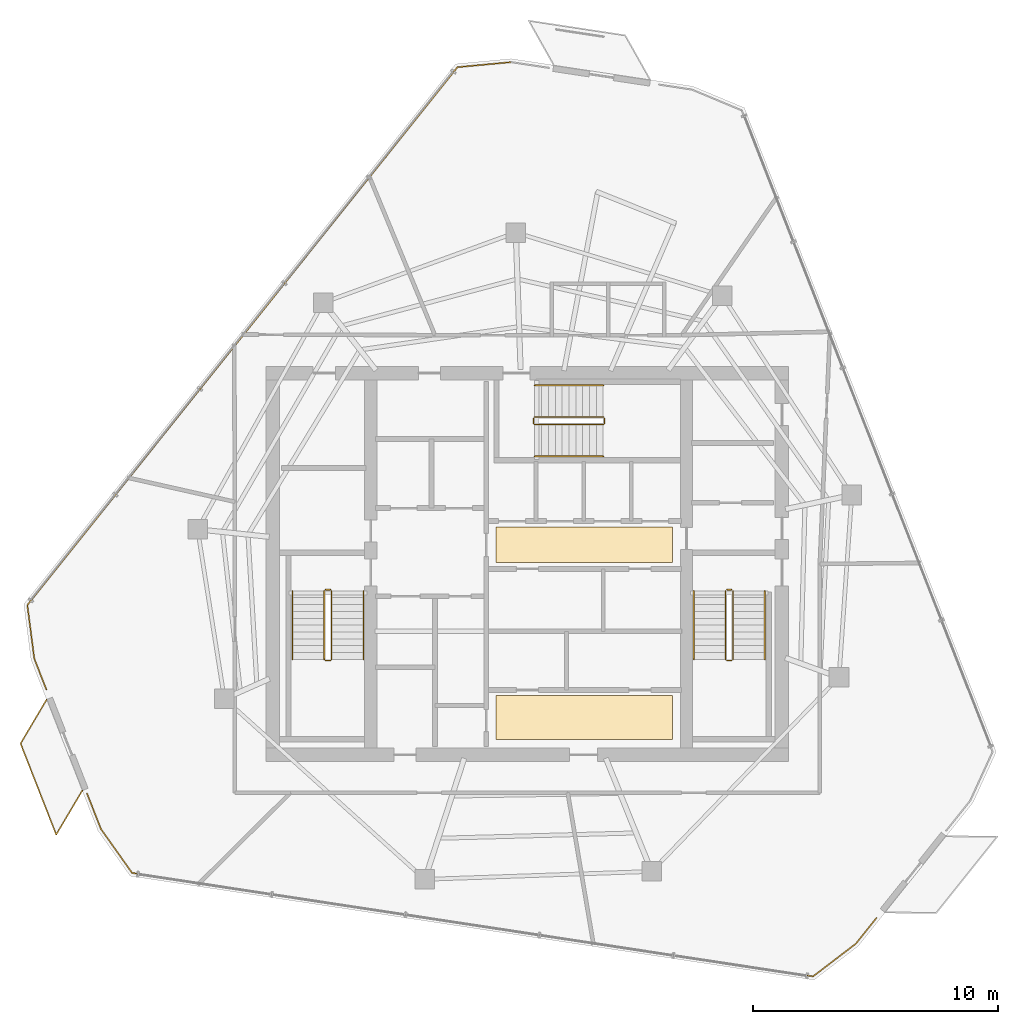
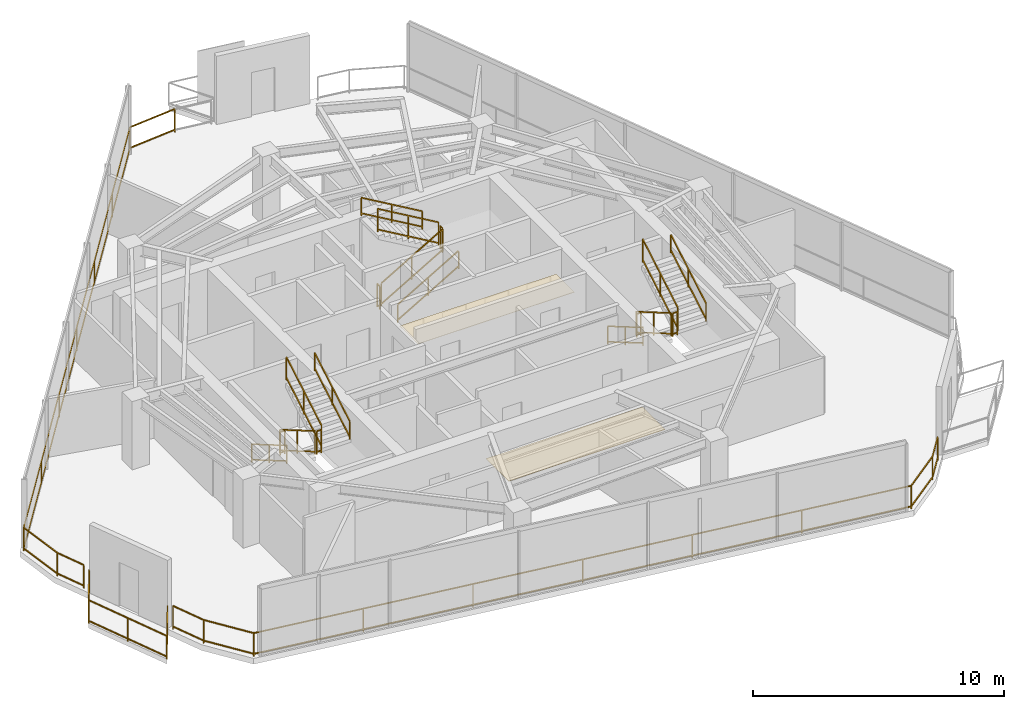
# One storey, part 18 of 19: 21 railings, 2 coverings.
"""IFC4 building model written with IfcOpenShell, lengths in metres."""

from ifc_helpers import new_model, si_unit, direction, frame, origin, origin_2d, place, context, subcontext, project, spatial, rectangle, extrude, material, layer, layer_set, type_object, element, save


model = new_model("IFC4")

# Units and contexts
model_context = context("Model", 3, precision=1e-05, world=origin(), true_north=direction((0.0, 1.0)))
body_context = subcontext(model_context, "Body", "Model", "MODEL_VIEW")
ifc_project = project(units=[si_unit("LENGTHUNIT", "METRE"), si_unit("AREAUNIT", "SQUARE_METRE"), si_unit("VOLUMEUNIT", "CUBIC_METRE"), si_unit("PLANEANGLEUNIT", "RADIAN"), si_unit("MASSUNIT", "GRAM", prefix="KILO")], contexts=[model_context])

# Site, building, storey
site_placement = place(None, origin())
site = spatial("IfcSite", under=ifc_project, at=site_placement, CompositionType="ELEMENT")
building_placement = place(site_placement, origin())
building = spatial("IfcBuilding", under=site, at=building_placement, Name="Qarnah Convention Tower", CompositionType="ELEMENT")
storey_placement = place(building_placement, frame((0.0, 0.0, 260.699951171875)))
storey = spatial("IfcBuildingStorey", under=building, at=storey_placement, Name="L70", CompositionType="ELEMENT", Elevation=260.699951171875)

# Coverings
ifc_material_1 = material(Name="Mineral fibre acoustic ceiling")
ifc_layer_1 = layer(ifc_material_1, 0.02001953125)
ifc_layer_set_1 = layer_set([ifc_layer_1], Name="Mineral fibre acoustic ceiling")
covering_type_1 = type_object("IfcCoveringType", Name="COV-CEIL-20", PredefinedType="CEILING", material=ifc_layer_set_1)
covering_1_placement = place(storey_placement, frame((39.52001953125, 27.179931640625, 2.2900390625), z_axis=(0.0, 0.0, 1.0), x_axis=(1.0, 0.0, 0.0)))
element("IfcCovering", 1, at=covering_1_placement, inside=storey, type_object=covering_type_1, Name="L70 lift lobby acoustic ceiling", PredefinedType="CEILING", context=body_context, shape_type="SweptSolid", body=[
    extrude(rectangle(XDim=7.199951171875, YDim=1.449951171875, at=origin_2d()), origin(), (0.0, 0.0, 1.0), 0.02001953125),
])
ifc_material_2 = material(Name="Porcelain stone floor tile", Category="masonry")
ifc_layer_2 = layer(ifc_material_2, 0.02001953125)
ifc_layer_set_2 = layer_set([ifc_layer_2], Name="Porcelain stone floor tile")
covering_type_2 = type_object("IfcCoveringType", Name="COV-FLOOR-20", PredefinedType="FLOORING", material=ifc_layer_set_2)
covering_2_placement = place(storey_placement, frame((39.52001953125, 20.1201171875, 0.0), z_axis=(0.0, 0.0, 1.0), x_axis=(1.0, 0.0, 0.0)))
element("IfcCovering", 2, at=covering_2_placement, inside=storey, type_object=covering_type_2, Name="L70 lift lobby porcelain stone flooring", PredefinedType="FLOORING", context=body_context, shape_type="SweptSolid", body=[
    extrude(rectangle(XDim=7.199951171875, YDim=1.800048828125, at=origin_2d()), origin(), (0.0, 0.0, 1.0), 0.02001953125),
])

# Railings
ifc_material_3 = material(Name="Black anodised aluminium", Category="aluminium")
railing_type_1 = type_object("IfcRailingType", Name="RL-EXT-GUARD-1150", PredefinedType="GUARDRAIL", material=ifc_material_3)
railing_1_placement = place(storey_placement, frame((51.468017578125, 11.94091796875, 0.0)))
element("IfcRailing", 3, at=railing_1_placement, inside=storey, type_object=railing_type_1, Name="L70 slab-edge perimeter safety guard 03", PredefinedType="GUARDRAIL", context=body_context, shape_type="SweptSolid", body=[
    extrude(rectangle(XDim=0.048095703125, YDim=0.048095703125, at=origin_2d()), frame((0.0, 0.0, 1.1259765625), z_axis=(-0.624805118993, -0.780780739568, 0.0), x_axis=(0.780780739568, -0.624805118993, 0.0)), (0.0, 0.0, 1.0), 1.352294921875),
    extrude(rectangle(XDim=0.048095703125, YDim=0.048095703125, at=origin_2d()), frame((0.0, 0.0, 0.1201171875), z_axis=(-0.624805118993, -0.780780739568, 0.0), x_axis=(0.780780739568, -0.624805118993, 0.0)), (0.0, 0.0, 1.0), 1.352294921875),
    extrude(rectangle(XDim=0.048095703125, YDim=0.048095703125, at=origin_2d()), frame((-0.844970703125, -1.055908203125, 1.1259765625), z_axis=(-0.794647238446, -0.607071467317, 0.0), x_axis=(0.607071467317, -0.794647238446, 0.0)), (0.0, 0.0, 1.0), 2.2021484375),
    extrude(rectangle(XDim=0.048095703125, YDim=0.048095703125, at=origin_2d()), frame((-0.844970703125, -1.055908203125, 0.1201171875), z_axis=(-0.794647238446, -0.607071467317, 0.0), x_axis=(0.607071467317, -0.794647238446, 0.0)), (0.0, 0.0, 1.0), 2.2021484375),
    extrude(rectangle(XDim=0.048095703125, YDim=0.048095703125, at=origin_2d()), frame((-2.594970703125, -2.392822265625, 1.1259765625), z_axis=(-0.988652889334, 0.150218056212, 0.0), x_axis=(-0.150218056212, -0.988652889334, 0.0)), (0.0, 0.0, 1.0), 28.144287109375),
    extrude(rectangle(XDim=0.048095703125, YDim=0.048095703125, at=origin_2d()), frame((-2.594970703125, -2.392822265625, 0.1201171875), z_axis=(-0.988652889334, 0.150218056212, 0.0), x_axis=(-0.150218056212, -0.988652889334, 0.0)), (0.0, 0.0, 1.0), 28.144287109375),
    extrude(rectangle(XDim=0.048095703125, YDim=0.048095703125, at=origin_2d()), frame((-30.419921875, 1.8349609375, 1.1259765625), z_axis=(-0.578383189454, 0.815765215094, 0.0), x_axis=(-0.815765215094, -0.578383189454, 0.0)), (0.0, 0.0, 1.0), 2.202880859375),
    extrude(rectangle(XDim=0.048095703125, YDim=0.048095703125, at=origin_2d()), frame((-30.419921875, 1.8349609375, 0.1201171875), z_axis=(-0.578383189454, 0.815765215094, 0.0), x_axis=(-0.815765215094, -0.578383189454, 0.0)), (0.0, 0.0, 1.0), 2.202880859375),
    extrude(rectangle(XDim=0.048095703125, YDim=0.048095703125, at=origin_2d()), frame((-31.694091796875, 3.632080078125, 1.1259765625), z_axis=(-0.364434672173, 0.931228956658, 0.0), x_axis=(-0.931228956658, -0.364434672173, 0.0)), (0.0, 0.0, 1.0), 1.5634765625),
    extrude(rectangle(XDim=0.048095703125, YDim=0.048095703125, at=origin_2d()), frame((-31.694091796875, 3.632080078125, 0.1201171875), z_axis=(-0.364434672173, 0.931228956658, 0.0), x_axis=(-0.931228956658, -0.364434672173, 0.0)), (0.0, 0.0, 1.0), 1.5634765625),
    extrude(rectangle(XDim=0.0419921875, YDim=0.0419921875, at=origin_2d()), origin(), (0.0, 0.0, 1.0), 1.101806640625),
    extrude(rectangle(XDim=0.0419921875, YDim=0.0419921875, at=origin_2d()), frame((-0.844970703125, -1.055908203125, 0.0)), (0.0, 0.0, 1.0), 1.101806640625),
    extrude(rectangle(XDim=0.0419921875, YDim=0.0419921875, at=origin_2d()), frame((-2.594970703125, -2.392822265625, 0.0)), (0.0, 0.0, 1.0), 1.101806640625),
    extrude(rectangle(XDim=0.0419921875, YDim=0.0419921875, at=origin_2d()), frame((-7.232421875, -1.688232421875, 0.0)), (0.0, 0.0, 1.0), 1.101806640625),
    extrude(rectangle(XDim=0.0419921875, YDim=0.0419921875, at=origin_2d()), frame((-11.869873046875, -0.983642578125, 0.0)), (0.0, 0.0, 1.0), 1.101806640625),
    extrude(rectangle(XDim=0.0419921875, YDim=0.0419921875, at=origin_2d()), frame((-16.50732421875, -0.27880859375, 0.0)), (0.0, 0.0, 1.0), 1.101806640625),
    extrude(rectangle(XDim=0.0419921875, YDim=0.0419921875, at=origin_2d()), frame((-21.14501953125, 0.42578125, 0.0)), (0.0, 0.0, 1.0), 1.101806640625),
    extrude(rectangle(XDim=0.0419921875, YDim=0.0419921875, at=origin_2d()), frame((-25.782470703125, 1.13037109375, 0.0)), (0.0, 0.0, 1.0), 1.101806640625),
    extrude(rectangle(XDim=0.0419921875, YDim=0.0419921875, at=origin_2d()), frame((-30.419921875, 1.8349609375, 0.0)), (0.0, 0.0, 1.0), 1.101806640625),
    extrude(rectangle(XDim=0.0419921875, YDim=0.0419921875, at=origin_2d()), frame((-31.694091796875, 3.632080078125, 0.0)), (0.0, 0.0, 1.0), 1.101806640625),
    extrude(rectangle(XDim=0.0419921875, YDim=0.0419921875, at=origin_2d()), frame((-32.263916015625, 5.088134765625, 0.0)), (0.0, 0.0, 1.0), 1.101806640625),
])
railing_2_placement = place(storey_placement, frame((17.5439453125, 21.27294921875, 0.0)))
element("IfcRailing", 4, at=railing_2_placement, inside=storey, type_object=railing_type_1, Name="L70 slab-edge perimeter safety guard 04", PredefinedType="GUARDRAIL", context=body_context, shape_type="SweptSolid", body=[
    extrude(rectangle(XDim=0.048095703125, YDim=0.048095703125, at=origin_2d()), frame((0.0, 0.0, 1.1259765625), z_axis=(-0.363936222331, 0.931423870252, 0.0), x_axis=(-0.931423870252, -0.363936222331, 0.0)), (0.0, 0.0, 1.0), 1.351806640625),
    extrude(rectangle(XDim=0.048095703125, YDim=0.048095703125, at=origin_2d()), frame((0.0, 0.0, 0.1201171875), z_axis=(-0.363936222331, 0.931423870252, 0.0), x_axis=(-0.931423870252, -0.363936222331, 0.0)), (0.0, 0.0, 1.0), 1.351806640625),
    extrude(rectangle(XDim=0.048095703125, YDim=0.048095703125, at=origin_2d()), frame((-0.491943359375, 1.259033203125, 1.1259765625), z_axis=(-0.128424871505, 0.991719240702, 0.0), x_axis=(-0.991719240702, -0.128424871505, 0.0)), (0.0, 0.0, 1.0), 2.203369140625),
    extrude(rectangle(XDim=0.048095703125, YDim=0.048095703125, at=origin_2d()), frame((-0.491943359375, 1.259033203125, 0.1201171875), z_axis=(-0.128424871505, 0.991719240702, 0.0), x_axis=(-0.991719240702, -0.128424871505, 0.0)), (0.0, 0.0, 1.0), 2.203369140625),
    extrude(rectangle(XDim=0.048095703125, YDim=0.048095703125, at=origin_2d()), frame((-0.77490234375, 3.444091796875, 1.1259765625), z_axis=(0.624444290001, 0.781069349473, 0.0), x_axis=(-0.781069349473, 0.624444290001, 0.0)), (0.0, 0.0, 1.0), 28.143310546875),
    extrude(rectangle(XDim=0.048095703125, YDim=0.048095703125, at=origin_2d()), frame((-0.77490234375, 3.444091796875, 0.1201171875), z_axis=(0.624444290001, 0.781069349473, 0.0), x_axis=(-0.781069349473, 0.624444290001, 0.0)), (0.0, 0.0, 1.0), 28.143310546875),
    extrude(rectangle(XDim=0.048095703125, YDim=0.048095703125, at=origin_2d()), frame((16.799072265625, 25.426025390625, 1.1259765625), z_axis=(0.995619091411, 0.093502004356, 0.0), x_axis=(-0.093502004356, 0.995619091411, 0.0)), (0.0, 0.0, 1.0), 2.203857421875),
    extrude(rectangle(XDim=0.048095703125, YDim=0.048095703125, at=origin_2d()), frame((16.799072265625, 25.426025390625, 0.1201171875), z_axis=(0.995619091411, 0.093502004356, 0.0), x_axis=(-0.093502004356, 0.995619091411, 0.0)), (0.0, 0.0, 1.0), 2.203857421875),
    extrude(rectangle(XDim=0.0419921875, YDim=0.0419921875, at=origin_2d()), origin(), (0.0, 0.0, 1.0), 1.101806640625),
    extrude(rectangle(XDim=0.0419921875, YDim=0.0419921875, at=origin_2d()), frame((-0.491943359375, 1.259033203125, 0.0)), (0.0, 0.0, 1.0), 1.101806640625),
    extrude(rectangle(XDim=0.0419921875, YDim=0.0419921875, at=origin_2d()), frame((-0.77490234375, 3.444091796875, 0.0)), (0.0, 0.0, 1.0), 1.101806640625),
    extrude(rectangle(XDim=0.0419921875, YDim=0.0419921875, at=origin_2d()), frame((2.154052734375, 7.107666015625, 0.0)), (0.0, 0.0, 1.0), 1.101806640625),
    extrude(rectangle(XDim=0.0419921875, YDim=0.0419921875, at=origin_2d()), frame((5.0830078125, 10.771484375, 0.0)), (0.0, 0.0, 1.0), 1.101806640625),
    extrude(rectangle(XDim=0.0419921875, YDim=0.0419921875, at=origin_2d()), frame((8.01220703125, 14.43505859375, 0.0)), (0.0, 0.0, 1.0), 1.101806640625),
    extrude(rectangle(XDim=0.0419921875, YDim=0.0419921875, at=origin_2d()), frame((10.941162109375, 18.0986328125, 0.0)), (0.0, 0.0, 1.0), 1.101806640625),
    extrude(rectangle(XDim=0.0419921875, YDim=0.0419921875, at=origin_2d()), frame((13.8701171875, 21.762451171875, 0.0)), (0.0, 0.0, 1.0), 1.101806640625),
    extrude(rectangle(XDim=0.0419921875, YDim=0.0419921875, at=origin_2d()), frame((16.799072265625, 25.426025390625, 0.0)), (0.0, 0.0, 1.0), 1.101806640625),
    extrude(rectangle(XDim=0.0419921875, YDim=0.0419921875, at=origin_2d()), frame((18.9931640625, 25.632080078125, 0.0)), (0.0, 0.0, 1.0), 1.101806640625),
])
railing_3_placement = place(storey_placement, frame((19.014892578125, 17.14111328125, 0.0)))
element("IfcRailing", 5, at=railing_3_placement, inside=storey, type_object=railing_type_1, Name="L70 balcony safety guard BAL-L70-C2", PredefinedType="GUARDRAIL", context=body_context, shape_type="SweptSolid", body=[
    extrude(rectangle(XDim=0.048095703125, YDim=0.048095703125, at=origin_2d()), frame((0.0, 0.0, 1.1259765625), z_axis=(-0.509463611836, -0.860492201135, 0.0), x_axis=(0.860492201135, -0.509463611836, 0.0)), (0.0, 0.0, 1.0), 2.09423828125),
    extrude(rectangle(XDim=0.048095703125, YDim=0.048095703125, at=origin_2d()), frame((0.0, 0.0, 0.1201171875), z_axis=(-0.509463611836, -0.860492201135, 0.0), x_axis=(0.860492201135, -0.509463611836, 0.0)), (0.0, 0.0, 1.0), 2.09423828125),
    extrude(rectangle(XDim=0.048095703125, YDim=0.048095703125, at=origin_2d()), frame((-1.06689453125, -1.802001953125, 1.1259765625), z_axis=(-0.364286572053, 0.931286901777, 0.0), x_axis=(-0.931286901777, -0.364286572053, 0.0)), (0.0, 0.0, 1.0), 3.999755859375),
    extrude(rectangle(XDim=0.048095703125, YDim=0.048095703125, at=origin_2d()), frame((-1.06689453125, -1.802001953125, 0.1201171875), z_axis=(-0.364286572053, 0.931286901777, 0.0), x_axis=(-0.931286901777, -0.364286572053, 0.0)), (0.0, 0.0, 1.0), 3.999755859375),
    extrude(rectangle(XDim=0.048095703125, YDim=0.048095703125, at=origin_2d()), frame((-2.52392578125, 1.9228515625, 1.1259765625), z_axis=(0.509895033683, 0.860236627112, 0.0), x_axis=(-0.860236627112, 0.509895033683, 0.0)), (0.0, 0.0, 1.0), 2.0947265625),
    extrude(rectangle(XDim=0.048095703125, YDim=0.048095703125, at=origin_2d()), frame((-2.52392578125, 1.9228515625, 0.1201171875), z_axis=(0.509895033683, 0.860236627112, 0.0), x_axis=(-0.860236627112, 0.509895033683, 0.0)), (0.0, 0.0, 1.0), 2.0947265625),
    extrude(rectangle(XDim=0.0419921875, YDim=0.0419921875, at=origin_2d()), origin(), (0.0, 0.0, 1.0), 1.101806640625),
    extrude(rectangle(XDim=0.0419921875, YDim=0.0419921875, at=origin_2d()), frame((-1.06689453125, -1.802001953125, 0.0)), (0.0, 0.0, 1.0), 1.101806640625),
    extrude(rectangle(XDim=0.0419921875, YDim=0.0419921875, at=origin_2d()), frame((-1.79541015625, 0.060546875, 0.0)), (0.0, 0.0, 1.0), 1.101806640625),
    extrude(rectangle(XDim=0.0419921875, YDim=0.0419921875, at=origin_2d()), frame((-2.52392578125, 1.9228515625, 0.0)), (0.0, 0.0, 1.0), 1.101806640625),
    extrude(rectangle(XDim=0.0419921875, YDim=0.0419921875, at=origin_2d()), frame((-1.455810546875, 3.724853515625, 0.0)), (0.0, 0.0, 1.0), 1.101806640625),
])
ifc_material_4 = material(Name="Structural steel S355JR", Category="steel")
railing_type_2 = type_object("IfcRailingType", Name="RL-STAIR-GUARD-1150", PredefinedType="GUARDRAIL", material=ifc_material_4)
railing_4_placement = place(storey_placement, frame((28.89990234375, 25.300048828125, 0.16357421875)))
element("IfcRailing", 6, at=railing_4_placement, inside=storey, type_object=railing_type_2, Name="L70 ST-1 stair guard 1", PredefinedType="GUARDRAIL", context=body_context, shape_type="SweptSolid", body=[
    extrude(rectangle(XDim=0.048095703125, YDim=0.048095703125, at=origin_2d()), frame((0.0, 0.0, 1.1259765625), z_axis=(0.0, -0.863360870873, 0.504586966384), x_axis=(1.0, 0.0, 0.0)), (0.0, 0.0, 1.0), 3.2431640625),
    extrude(rectangle(XDim=0.048095703125, YDim=0.048095703125, at=origin_2d()), frame((0.0, 0.0, 0.1201171875), z_axis=(0.0, -0.863360870873, 0.504586966384), x_axis=(1.0, 0.0, 0.0)), (0.0, 0.0, 1.0), 3.2431640625),
    extrude(rectangle(XDim=0.0419921875, YDim=0.0419921875, at=origin_2d()), origin(), (0.0, 0.0, 1.0), 1.101806640625),
    extrude(rectangle(XDim=0.0419921875, YDim=0.0419921875, at=origin_2d()), frame((0.0, -1.39990234375, 0.818359375)), (0.0, 0.0, 1.0), 1.101806640625),
    extrude(rectangle(XDim=0.0419921875, YDim=0.0419921875, at=origin_2d()), frame((0.0, -2.800048828125, 1.636474609375)), (0.0, 0.0, 1.0), 1.101806640625),
])
railing_5_placement = place(storey_placement, frame((28.949951171875, 22.449951171875, 1.800048828125)))
element("IfcRailing", 7, at=railing_5_placement, inside=storey, type_object=railing_type_2, Name="L70 ST-1 stair guard 2", PredefinedType="GUARDRAIL", context=body_context, shape_type="SweptSolid", body=[
    extrude(rectangle(XDim=0.048095703125, YDim=0.048095703125, at=origin_2d()), frame((0.0, 0.0, 1.1259765625), z_axis=(1.0, 0.0, 0.0), x_axis=(0.0, 1.0, 0.0)), (0.0, 0.0, 1.0), 0.199951171875),
    extrude(rectangle(XDim=0.048095703125, YDim=0.048095703125, at=origin_2d()), frame((0.0, 0.0, 0.1201171875), z_axis=(1.0, 0.0, 0.0), x_axis=(0.0, 1.0, 0.0)), (0.0, 0.0, 1.0), 0.199951171875),
    extrude(rectangle(XDim=0.0419921875, YDim=0.0419921875, at=origin_2d()), origin(), (0.0, 0.0, 1.0), 1.101806640625),
    extrude(rectangle(XDim=0.0419921875, YDim=0.0419921875, at=origin_2d()), frame((0.199951171875, 0.0, 0.0)), (0.0, 0.0, 1.0), 1.101806640625),
])
railing_6_placement = place(storey_placement, frame((29.199951171875, 22.5, 1.963623046875)))
element("IfcRailing", 8, at=railing_6_placement, inside=storey, type_object=railing_type_2, Name="L70 ST-1 stair guard 3", PredefinedType="GUARDRAIL", context=body_context, shape_type="SweptSolid", body=[
    extrude(rectangle(XDim=0.048095703125, YDim=0.048095703125, at=origin_2d()), frame((0.0, 0.0, 1.1259765625), z_axis=(0.0, 0.863360870873, 0.504586966384), x_axis=(-1.0, 0.0, 0.0)), (0.0, 0.0, 1.0), 3.2431640625),
    extrude(rectangle(XDim=0.048095703125, YDim=0.048095703125, at=origin_2d()), frame((0.0, 0.0, 0.1201171875), z_axis=(0.0, 0.863360870873, 0.504586966384), x_axis=(-1.0, 0.0, 0.0)), (0.0, 0.0, 1.0), 3.2431640625),
    extrude(rectangle(XDim=0.0419921875, YDim=0.0419921875, at=origin_2d()), origin(), (0.0, 0.0, 1.0), 1.101806640625),
    extrude(rectangle(XDim=0.0419921875, YDim=0.0419921875, at=origin_2d()), frame((0.0, 1.39990234375, 0.818359375)), (0.0, 0.0, 1.0), 1.101806640625),
    extrude(rectangle(XDim=0.0419921875, YDim=0.0419921875, at=origin_2d()), frame((0.0, 2.800048828125, 1.636474609375)), (0.0, 0.0, 1.0), 1.101806640625),
])
railing_7_placement = place(storey_placement, frame((28.949951171875, 25.35009765625, 0.0)))
element("IfcRailing", 9, at=railing_7_placement, inside=storey, type_object=railing_type_2, Name="L70 ST-1 stair guard 4", PredefinedType="GUARDRAIL", context=body_context, shape_type="SweptSolid", body=[
    extrude(rectangle(XDim=0.048095703125, YDim=0.048095703125, at=origin_2d()), frame((0.0, 0.0, 1.1259765625), z_axis=(1.0, 0.0, 0.0), x_axis=(0.0, 1.0, 0.0)), (0.0, 0.0, 1.0), 0.199951171875),
    extrude(rectangle(XDim=0.048095703125, YDim=0.048095703125, at=origin_2d()), frame((0.0, 0.0, 0.1201171875), z_axis=(1.0, 0.0, 0.0), x_axis=(0.0, 1.0, 0.0)), (0.0, 0.0, 1.0), 0.199951171875),
    extrude(rectangle(XDim=0.0419921875, YDim=0.0419921875, at=origin_2d()), origin(), (0.0, 0.0, 1.0), 1.101806640625),
    extrude(rectangle(XDim=0.0419921875, YDim=0.0419921875, at=origin_2d()), frame((0.199951171875, 0.0, 0.0)), (0.0, 0.0, 1.0), 1.101806640625),
])
railing_8_placement = place(storey_placement, frame((45.300048828125, 25.300048828125, 0.16357421875)))
element("IfcRailing", 10, at=railing_8_placement, inside=storey, type_object=railing_type_2, Name="L70 ST-2 stair guard 1", PredefinedType="GUARDRAIL", context=body_context, shape_type="SweptSolid", body=[
    extrude(rectangle(XDim=0.048095703125, YDim=0.048095703125, at=origin_2d()), frame((0.0, 0.0, 1.1259765625), z_axis=(0.0, -0.863360870873, 0.504586966384), x_axis=(1.0, 0.0, 0.0)), (0.0, 0.0, 1.0), 3.2431640625),
    extrude(rectangle(XDim=0.048095703125, YDim=0.048095703125, at=origin_2d()), frame((0.0, 0.0, 0.1201171875), z_axis=(0.0, -0.863360870873, 0.504586966384), x_axis=(1.0, 0.0, 0.0)), (0.0, 0.0, 1.0), 3.2431640625),
    extrude(rectangle(XDim=0.0419921875, YDim=0.0419921875, at=origin_2d()), origin(), (0.0, 0.0, 1.0), 1.101806640625),
    extrude(rectangle(XDim=0.0419921875, YDim=0.0419921875, at=origin_2d()), frame((0.0, -1.39990234375, 0.818359375)), (0.0, 0.0, 1.0), 1.101806640625),
    extrude(rectangle(XDim=0.0419921875, YDim=0.0419921875, at=origin_2d()), frame((0.0, -2.800048828125, 1.636474609375)), (0.0, 0.0, 1.0), 1.101806640625),
])
railing_9_placement = place(storey_placement, frame((45.35009765625, 22.449951171875, 1.800048828125)))
element("IfcRailing", 11, at=railing_9_placement, inside=storey, type_object=railing_type_2, Name="L70 ST-2 stair guard 2", PredefinedType="GUARDRAIL", context=body_context, shape_type="SweptSolid", body=[
    extrude(rectangle(XDim=0.048095703125, YDim=0.048095703125, at=origin_2d()), frame((0.0, 0.0, 1.1259765625), z_axis=(1.0, 0.0, 0.0), x_axis=(0.0, 1.0, 0.0)), (0.0, 0.0, 1.0), 0.199951171875),
    extrude(rectangle(XDim=0.048095703125, YDim=0.048095703125, at=origin_2d()), frame((0.0, 0.0, 0.1201171875), z_axis=(1.0, 0.0, 0.0), x_axis=(0.0, 1.0, 0.0)), (0.0, 0.0, 1.0), 0.199951171875),
    extrude(rectangle(XDim=0.0419921875, YDim=0.0419921875, at=origin_2d()), origin(), (0.0, 0.0, 1.0), 1.101806640625),
    extrude(rectangle(XDim=0.0419921875, YDim=0.0419921875, at=origin_2d()), frame((0.199951171875, 0.0, 0.0)), (0.0, 0.0, 1.0), 1.101806640625),
])
railing_10_placement = place(storey_placement, frame((45.60009765625, 22.5, 1.963623046875)))
element("IfcRailing", 12, at=railing_10_placement, inside=storey, type_object=railing_type_2, Name="L70 ST-2 stair guard 3", PredefinedType="GUARDRAIL", context=body_context, shape_type="SweptSolid", body=[
    extrude(rectangle(XDim=0.048095703125, YDim=0.048095703125, at=origin_2d()), frame((0.0, 0.0, 1.1259765625), z_axis=(0.0, 0.863360870873, 0.504586966384), x_axis=(-1.0, 0.0, 0.0)), (0.0, 0.0, 1.0), 3.2431640625),
    extrude(rectangle(XDim=0.048095703125, YDim=0.048095703125, at=origin_2d()), frame((0.0, 0.0, 0.1201171875), z_axis=(0.0, 0.863360870873, 0.504586966384), x_axis=(-1.0, 0.0, 0.0)), (0.0, 0.0, 1.0), 3.2431640625),
    extrude(rectangle(XDim=0.0419921875, YDim=0.0419921875, at=origin_2d()), origin(), (0.0, 0.0, 1.0), 1.101806640625),
    extrude(rectangle(XDim=0.0419921875, YDim=0.0419921875, at=origin_2d()), frame((0.0, 1.39990234375, 0.818359375)), (0.0, 0.0, 1.0), 1.101806640625),
    extrude(rectangle(XDim=0.0419921875, YDim=0.0419921875, at=origin_2d()), frame((0.0, 2.800048828125, 1.636474609375)), (0.0, 0.0, 1.0), 1.101806640625),
])
railing_11_placement = place(storey_placement, frame((45.35009765625, 25.35009765625, 0.0)))
element("IfcRailing", 13, at=railing_11_placement, inside=storey, type_object=railing_type_2, Name="L70 ST-2 stair guard 4", PredefinedType="GUARDRAIL", context=body_context, shape_type="SweptSolid", body=[
    extrude(rectangle(XDim=0.048095703125, YDim=0.048095703125, at=origin_2d()), frame((0.0, 0.0, 1.1259765625), z_axis=(1.0, 0.0, 0.0), x_axis=(0.0, 1.0, 0.0)), (0.0, 0.0, 1.0), 0.199951171875),
    extrude(rectangle(XDim=0.048095703125, YDim=0.048095703125, at=origin_2d()), frame((0.0, 0.0, 0.1201171875), z_axis=(1.0, 0.0, 0.0), x_axis=(0.0, 1.0, 0.0)), (0.0, 0.0, 1.0), 0.199951171875),
    extrude(rectangle(XDim=0.0419921875, YDim=0.0419921875, at=origin_2d()), origin(), (0.0, 0.0, 1.0), 1.101806640625),
    extrude(rectangle(XDim=0.0419921875, YDim=0.0419921875, at=origin_2d()), frame((0.199951171875, 0.0, 0.0)), (0.0, 0.0, 1.0), 1.101806640625),
])
railing_12_placement = place(storey_placement, frame((37.5, 32.10009765625, 0.16357421875)))
element("IfcRailing", 14, at=railing_12_placement, inside=storey, type_object=railing_type_2, Name="L70 ST-3 stair guard 1", PredefinedType="GUARDRAIL", context=body_context, shape_type="SweptSolid", body=[
    extrude(rectangle(XDim=0.048095703125, YDim=0.048095703125, at=origin_2d()), frame((0.0, 0.0, 1.1259765625), z_axis=(0.863360870873, 0.0, 0.504586966384), x_axis=(0.0, 1.0, 0.0)), (0.0, 0.0, 1.0), 3.2431640625),
    extrude(rectangle(XDim=0.048095703125, YDim=0.048095703125, at=origin_2d()), frame((0.0, 0.0, 0.1201171875), z_axis=(0.863360870873, 0.0, 0.504586966384), x_axis=(0.0, 1.0, 0.0)), (0.0, 0.0, 1.0), 3.2431640625),
    extrude(rectangle(XDim=0.0419921875, YDim=0.0419921875, at=origin_2d()), origin(), (0.0, 0.0, 1.0), 1.101806640625),
    extrude(rectangle(XDim=0.0419921875, YDim=0.0419921875, at=origin_2d()), frame((1.39990234375, 0.0, 0.818359375)), (0.0, 0.0, 1.0), 1.101806640625),
    extrude(rectangle(XDim=0.0419921875, YDim=0.0419921875, at=origin_2d()), frame((2.800048828125, 0.0, 1.636474609375)), (0.0, 0.0, 1.0), 1.101806640625),
])
railing_13_placement = place(storey_placement, frame((40.35009765625, 32.14990234375, 1.800048828125)))
element("IfcRailing", 15, at=railing_13_placement, inside=storey, type_object=railing_type_2, Name="L70 ST-3 stair guard 2", PredefinedType="GUARDRAIL", context=body_context, shape_type="SweptSolid", body=[
    extrude(rectangle(XDim=0.048095703125, YDim=0.048095703125, at=origin_2d()), frame((0.0, 0.0, 1.1259765625), z_axis=(0.0, 1.0, 0.0), x_axis=(-1.0, 0.0, 0.0)), (0.0, 0.0, 1.0), 0.2001953125),
    extrude(rectangle(XDim=0.048095703125, YDim=0.048095703125, at=origin_2d()), frame((0.0, 0.0, 0.1201171875), z_axis=(0.0, 1.0, 0.0), x_axis=(-1.0, 0.0, 0.0)), (0.0, 0.0, 1.0), 0.2001953125),
    extrude(rectangle(XDim=0.0419921875, YDim=0.0419921875, at=origin_2d()), origin(), (0.0, 0.0, 1.0), 1.101806640625),
    extrude(rectangle(XDim=0.0419921875, YDim=0.0419921875, at=origin_2d()), frame((0.0, 0.2001953125, 0.0)), (0.0, 0.0, 1.0), 1.101806640625),
])
railing_14_placement = place(storey_placement, frame((40.300048828125, 32.39990234375, 1.963623046875)))
element("IfcRailing", 16, at=railing_14_placement, inside=storey, type_object=railing_type_2, Name="L70 ST-3 stair guard 3", PredefinedType="GUARDRAIL", context=body_context, shape_type="SweptSolid", body=[
    extrude(rectangle(XDim=0.048095703125, YDim=0.048095703125, at=origin_2d()), frame((0.0, 0.0, 1.1259765625), z_axis=(-0.863360870873, 0.0, 0.504586966384), x_axis=(0.0, -1.0, 0.0)), (0.0, 0.0, 1.0), 3.2431640625),
    extrude(rectangle(XDim=0.048095703125, YDim=0.048095703125, at=origin_2d()), frame((0.0, 0.0, 0.1201171875), z_axis=(-0.863360870873, 0.0, 0.504586966384), x_axis=(0.0, -1.0, 0.0)), (0.0, 0.0, 1.0), 3.2431640625),
    extrude(rectangle(XDim=0.0419921875, YDim=0.0419921875, at=origin_2d()), origin(), (0.0, 0.0, 1.0), 1.101806640625),
    extrude(rectangle(XDim=0.0419921875, YDim=0.0419921875, at=origin_2d()), frame((-1.39990234375, 0.0, 0.818359375)), (0.0, 0.0, 1.0), 1.101806640625),
    extrude(rectangle(XDim=0.0419921875, YDim=0.0419921875, at=origin_2d()), frame((-2.800048828125, 0.0, 1.636474609375)), (0.0, 0.0, 1.0), 1.101806640625),
])
railing_15_placement = place(storey_placement, frame((37.449951171875, 32.14990234375, 0.0)))
element("IfcRailing", 17, at=railing_15_placement, inside=storey, type_object=railing_type_2, Name="L70 ST-3 stair guard 4", PredefinedType="GUARDRAIL", context=body_context, shape_type="SweptSolid", body=[
    extrude(rectangle(XDim=0.048095703125, YDim=0.048095703125, at=origin_2d()), frame((0.0, 0.0, 1.1259765625), z_axis=(0.0, 1.0, 0.0), x_axis=(-1.0, 0.0, 0.0)), (0.0, 0.0, 1.0), 0.2001953125),
    extrude(rectangle(XDim=0.048095703125, YDim=0.048095703125, at=origin_2d()), frame((0.0, 0.0, 0.1201171875), z_axis=(0.0, 1.0, 0.0), x_axis=(-1.0, 0.0, 0.0)), (0.0, 0.0, 1.0), 0.2001953125),
    extrude(rectangle(XDim=0.0419921875, YDim=0.0419921875, at=origin_2d()), origin(), (0.0, 0.0, 1.0), 1.101806640625),
    extrude(rectangle(XDim=0.0419921875, YDim=0.0419921875, at=origin_2d()), frame((0.0, 0.2001953125, 0.0)), (0.0, 0.0, 1.0), 1.101806640625),
])
railing_type_3 = type_object("IfcRailingType", Name="RL-STAIR-HAND-900", PredefinedType="HANDRAIL", material=ifc_material_4)
railing_16_placement = place(storey_placement, frame((27.60009765625, 25.300048828125, 0.16357421875)))
element("IfcRailing", 18, at=railing_16_placement, inside=storey, type_object=railing_type_3, Name="L70 ST-1 stair handrail 1", PredefinedType="HANDRAIL", context=body_context, shape_type="SweptSolid", body=[
    extrude(rectangle(XDim=0.048095703125, YDim=0.048095703125, at=origin_2d()), frame((0.0, 0.0, 0.8759765625), z_axis=(0.0, -0.863360870873, 0.504586966384), x_axis=(1.0, 0.0, 0.0)), (0.0, 0.0, 1.0), 3.2431640625),
    extrude(rectangle(XDim=0.048095703125, YDim=0.048095703125, at=origin_2d()), frame((0.0, 0.0, 0.1201171875), z_axis=(0.0, -0.863360870873, 0.504586966384), x_axis=(1.0, 0.0, 0.0)), (0.0, 0.0, 1.0), 3.2431640625),
    extrude(rectangle(XDim=0.0419921875, YDim=0.0419921875, at=origin_2d()), origin(), (0.0, 0.0, 1.0), 0.851806640625),
    extrude(rectangle(XDim=0.0419921875, YDim=0.0419921875, at=origin_2d()), frame((0.0, -1.39990234375, 0.818359375)), (0.0, 0.0, 1.0), 0.851806640625),
    extrude(rectangle(XDim=0.0419921875, YDim=0.0419921875, at=origin_2d()), frame((0.0, -2.800048828125, 1.636474609375)), (0.0, 0.0, 1.0), 0.851806640625),
])
railing_17_placement = place(storey_placement, frame((30.5, 22.5, 1.963623046875)))
element("IfcRailing", 19, at=railing_17_placement, inside=storey, type_object=railing_type_3, Name="L70 ST-1 stair handrail 2", PredefinedType="HANDRAIL", context=body_context, shape_type="SweptSolid", body=[
    extrude(rectangle(XDim=0.048095703125, YDim=0.048095703125, at=origin_2d()), frame((0.0, 0.0, 0.8759765625), z_axis=(0.0, 0.863360870873, 0.504586966384), x_axis=(-1.0, 0.0, 0.0)), (0.0, 0.0, 1.0), 3.2431640625),
    extrude(rectangle(XDim=0.048095703125, YDim=0.048095703125, at=origin_2d()), frame((0.0, 0.0, 0.1201171875), z_axis=(0.0, 0.863360870873, 0.504586966384), x_axis=(-1.0, 0.0, 0.0)), (0.0, 0.0, 1.0), 3.2431640625),
    extrude(rectangle(XDim=0.0419921875, YDim=0.0419921875, at=origin_2d()), origin(), (0.0, 0.0, 1.0), 0.851806640625),
    extrude(rectangle(XDim=0.0419921875, YDim=0.0419921875, at=origin_2d()), frame((0.0, 1.39990234375, 0.818359375)), (0.0, 0.0, 1.0), 0.851806640625),
    extrude(rectangle(XDim=0.0419921875, YDim=0.0419921875, at=origin_2d()), frame((0.0, 2.800048828125, 1.636474609375)), (0.0, 0.0, 1.0), 0.851806640625),
])
railing_18_placement = place(storey_placement, frame((44.0, 25.300048828125, 0.16357421875)))
element("IfcRailing", 20, at=railing_18_placement, inside=storey, type_object=railing_type_3, Name="L70 ST-2 stair handrail 1", PredefinedType="HANDRAIL", context=body_context, shape_type="SweptSolid", body=[
    extrude(rectangle(XDim=0.048095703125, YDim=0.048095703125, at=origin_2d()), frame((0.0, 0.0, 0.8759765625), z_axis=(0.0, -0.863360870873, 0.504586966384), x_axis=(1.0, 0.0, 0.0)), (0.0, 0.0, 1.0), 3.2431640625),
    extrude(rectangle(XDim=0.048095703125, YDim=0.048095703125, at=origin_2d()), frame((0.0, 0.0, 0.1201171875), z_axis=(0.0, -0.863360870873, 0.504586966384), x_axis=(1.0, 0.0, 0.0)), (0.0, 0.0, 1.0), 3.2431640625),
    extrude(rectangle(XDim=0.0419921875, YDim=0.0419921875, at=origin_2d()), origin(), (0.0, 0.0, 1.0), 0.851806640625),
    extrude(rectangle(XDim=0.0419921875, YDim=0.0419921875, at=origin_2d()), frame((0.0, -1.39990234375, 0.818359375)), (0.0, 0.0, 1.0), 0.851806640625),
    extrude(rectangle(XDim=0.0419921875, YDim=0.0419921875, at=origin_2d()), frame((0.0, -2.800048828125, 1.636474609375)), (0.0, 0.0, 1.0), 0.851806640625),
])
railing_19_placement = place(storey_placement, frame((46.89990234375, 22.5, 1.963623046875)))
element("IfcRailing", 21, at=railing_19_placement, inside=storey, type_object=railing_type_3, Name="L70 ST-2 stair handrail 2", PredefinedType="HANDRAIL", context=body_context, shape_type="SweptSolid", body=[
    extrude(rectangle(XDim=0.048095703125, YDim=0.048095703125, at=origin_2d()), frame((0.0, 0.0, 0.8759765625), z_axis=(0.0, 0.863360870873, 0.504586966384), x_axis=(-1.0, 0.0, 0.0)), (0.0, 0.0, 1.0), 3.2431640625),
    extrude(rectangle(XDim=0.048095703125, YDim=0.048095703125, at=origin_2d()), frame((0.0, 0.0, 0.1201171875), z_axis=(0.0, 0.863360870873, 0.504586966384), x_axis=(-1.0, 0.0, 0.0)), (0.0, 0.0, 1.0), 3.2431640625),
    extrude(rectangle(XDim=0.0419921875, YDim=0.0419921875, at=origin_2d()), origin(), (0.0, 0.0, 1.0), 0.851806640625),
    extrude(rectangle(XDim=0.0419921875, YDim=0.0419921875, at=origin_2d()), frame((0.0, 1.39990234375, 0.818359375)), (0.0, 0.0, 1.0), 0.851806640625),
    extrude(rectangle(XDim=0.0419921875, YDim=0.0419921875, at=origin_2d()), frame((0.0, 2.800048828125, 1.636474609375)), (0.0, 0.0, 1.0), 0.851806640625),
])
railing_20_placement = place(storey_placement, frame((37.5, 30.800048828125, 0.16357421875)))
element("IfcRailing", 22, at=railing_20_placement, inside=storey, type_object=railing_type_3, Name="L70 ST-3 stair handrail 1", PredefinedType="HANDRAIL", context=body_context, shape_type="SweptSolid", body=[
    extrude(rectangle(XDim=0.048095703125, YDim=0.048095703125, at=origin_2d()), frame((0.0, 0.0, 0.8759765625), z_axis=(0.863360870873, 0.0, 0.504586966384), x_axis=(0.0, 1.0, 0.0)), (0.0, 0.0, 1.0), 3.2431640625),
    extrude(rectangle(XDim=0.048095703125, YDim=0.048095703125, at=origin_2d()), frame((0.0, 0.0, 0.1201171875), z_axis=(0.863360870873, 0.0, 0.504586966384), x_axis=(0.0, 1.0, 0.0)), (0.0, 0.0, 1.0), 3.2431640625),
    extrude(rectangle(XDim=0.0419921875, YDim=0.0419921875, at=origin_2d()), origin(), (0.0, 0.0, 1.0), 0.851806640625),
    extrude(rectangle(XDim=0.0419921875, YDim=0.0419921875, at=origin_2d()), frame((1.39990234375, 0.0, 0.818359375)), (0.0, 0.0, 1.0), 0.851806640625),
    extrude(rectangle(XDim=0.0419921875, YDim=0.0419921875, at=origin_2d()), frame((2.800048828125, 0.0, 1.636474609375)), (0.0, 0.0, 1.0), 0.851806640625),
])
railing_21_placement = place(storey_placement, frame((40.300048828125, 33.699951171875, 1.963623046875)))
element("IfcRailing", 23, at=railing_21_placement, inside=storey, type_object=railing_type_3, Name="L70 ST-3 stair handrail 2", PredefinedType="HANDRAIL", context=body_context, shape_type="SweptSolid", body=[
    extrude(rectangle(XDim=0.048095703125, YDim=0.048095703125, at=origin_2d()), frame((0.0, 0.0, 0.8759765625), z_axis=(-0.863360870873, 0.0, 0.504586966384), x_axis=(0.0, -1.0, 0.0)), (0.0, 0.0, 1.0), 3.2431640625),
    extrude(rectangle(XDim=0.048095703125, YDim=0.048095703125, at=origin_2d()), frame((0.0, 0.0, 0.1201171875), z_axis=(-0.863360870873, 0.0, 0.504586966384), x_axis=(0.0, -1.0, 0.0)), (0.0, 0.0, 1.0), 3.2431640625),
    extrude(rectangle(XDim=0.0419921875, YDim=0.0419921875, at=origin_2d()), origin(), (0.0, 0.0, 1.0), 0.851806640625),
    extrude(rectangle(XDim=0.0419921875, YDim=0.0419921875, at=origin_2d()), frame((-1.39990234375, 0.0, 0.818359375)), (0.0, 0.0, 1.0), 0.851806640625),
    extrude(rectangle(XDim=0.0419921875, YDim=0.0419921875, at=origin_2d()), frame((-2.800048828125, 0.0, 1.636474609375)), (0.0, 0.0, 1.0), 0.851806640625),
])

save(model, "model.ifc")
